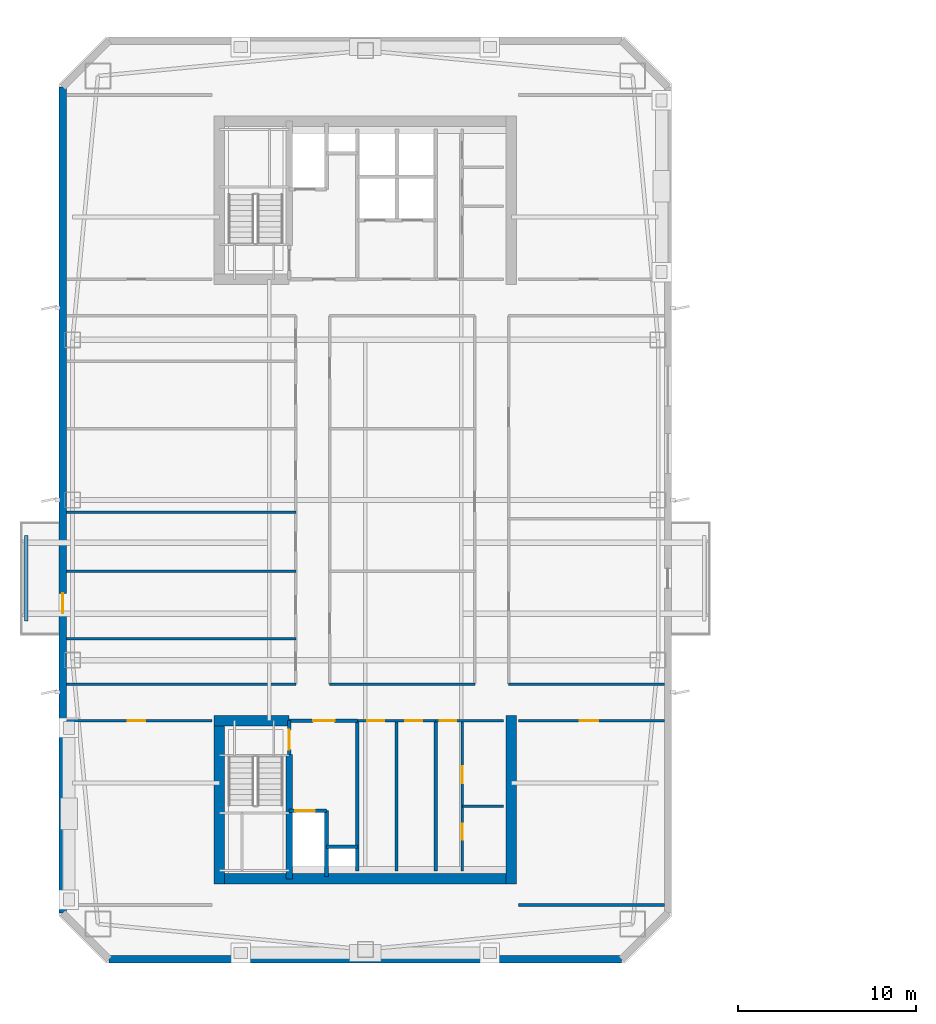
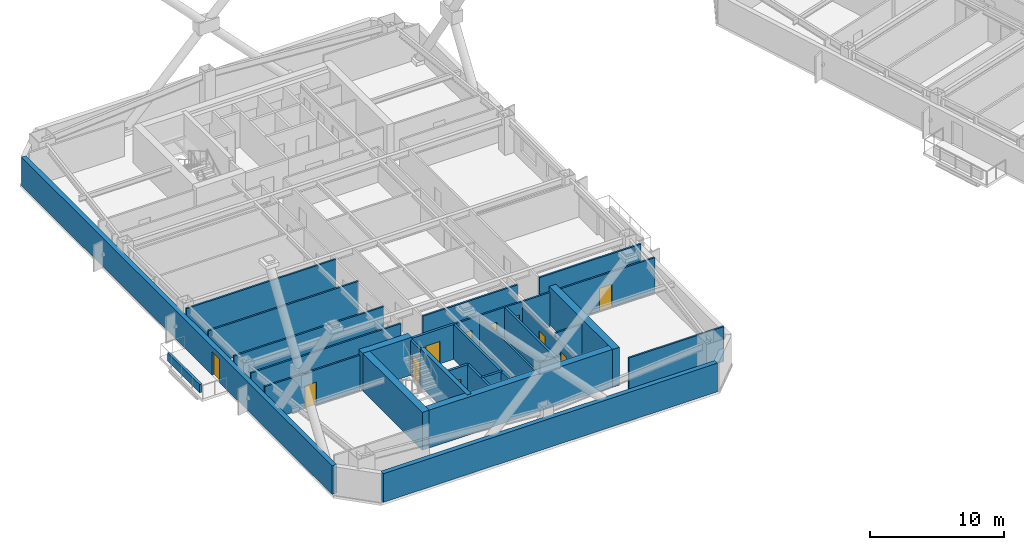
# One storey, part 6 of 18: 29 walls, 11 doors, 11 openings.
"""IFC4 building model written with IfcOpenShell, lengths in metres."""

import ifcopenshell
import ifcopenshell.guid

model = None  # the IFC model being written
_history = None  # IfcOwnerHistory: only IFC2X3 demands one
_inside = {}  # id of a spatial element -> (the spatial element, [elements in it])
_under = {}  # id of a project, library or spatial element -> (it, [spatial elements below it])
_declared = {}  # id of a project -> (the project, [libraries it declares])
_typed = {}  # id of a type object -> (the type object, [elements of that type])
_made_of = {}  # id of a material, layer set ... -> (it, [elements and type objects made of it])


def new_model(schema):
    """Start an empty IFC model of exactly this schema.

    Asked for "IFC4X3", IfcOpenShell would pick the latest addendum, in which some entities
    have other attributes; the version numbers below select the first issue.
    IFC2X3 requires an IfcOwnerHistory on every rooted entity: one is made here for all.
    """
    global model, _history
    if schema == "IFC4X3":
        model = ifcopenshell.file(schema_version=(4, 3, 0, 0))
    else:
        model = ifcopenshell.file(schema=schema)
    _inside.clear()
    _under.clear()
    _declared.clear()
    _typed.clear()
    _made_of.clear()
    _history = None
    if model.schema == "IFC2X3":
        org = make("IfcOrganization", Name="unknown")
        user = make(
            "IfcPersonAndOrganization",
            ThePerson=make("IfcPerson", FamilyName="unknown"),
            TheOrganization=org,
        )
        app = make(
            "IfcApplication",
            ApplicationDeveloper=org,
            Version="unknown",
            ApplicationFullName="unknown",
            ApplicationIdentifier="unknown",
        )
        _history = make(
            "IfcOwnerHistory",
            OwningUser=user,
            OwningApplication=app,
            ChangeAction="ADDED",
            CreationDate=0,
        )
    return model


def make(cls, **values):
    """One entity of the class cls with the attributes given. An attribute that is None is left unset."""
    return model.create_entity(
        cls, **{name: value for name, value in values.items() if value is not None}
    )


def rooted(cls, **values):
    """An entity with a GlobalId (a new one), such as an element, a storey or a relation."""
    return make(cls, GlobalId=ifcopenshell.guid.new(), OwnerHistory=_history, **values)


def si_unit(unit_type, name, prefix=None):
    """IfcSIUnit, for example si_unit("LENGTHUNIT", "METRE", prefix="MILLI")."""
    return make("IfcSIUnit", UnitType=unit_type, Prefix=prefix, Name=name)


def assignment(units):
    """IfcUnitAssignment: the units of a project."""
    return None if units is None else make("IfcUnitAssignment", Units=units)


def point(xyz):
    """IfcCartesianPoint."""
    return None if xyz is None else make("IfcCartesianPoint", Coordinates=xyz)


def direction(xyz):
    """IfcDirection."""
    return None if xyz is None else make("IfcDirection", DirectionRatios=xyz)


def frame(location, z_axis=None, x_axis=None):
    """IfcAxis2Placement3D, a coordinate frame: its origin and axes. An axis left out is left unset."""
    return make(
        "IfcAxis2Placement3D",
        Location=point(location),
        Axis=direction(z_axis),
        RefDirection=direction(x_axis),
    )


def frame_2d(location, x_axis=None):
    """IfcAxis2Placement2D, a coordinate frame in the plane: its origin and x axis."""
    return make(
        "IfcAxis2Placement2D", Location=point(location), RefDirection=direction(x_axis)
    )


def origin():
    """The frame at (0, 0, 0) with its axes left unset."""
    return frame((0.0, 0.0, 0.0))


def place(relative_to, where):
    """IfcLocalPlacement: puts the frame where relative to a parent placement (None: the world)."""
    return make(
        "IfcLocalPlacement", PlacementRelTo=relative_to, RelativePlacement=where
    )


def context(
    kind, dimensions, precision=None, world=None, true_north=None, identifier=None
):
    """IfcGeometricRepresentationContext, for example the 3D "Model" context."""
    return make(
        "IfcGeometricRepresentationContext",
        ContextIdentifier=identifier,
        ContextType=kind,
        CoordinateSpaceDimension=dimensions,
        Precision=precision,
        WorldCoordinateSystem=world,
        TrueNorth=true_north,
    )


def subcontext(parent, identifier, kind, view, scale=None):
    """IfcGeometricRepresentationSubContext, for example "Body" below "Model"."""
    return make(
        "IfcGeometricRepresentationSubContext",
        ContextIdentifier=identifier,
        ContextType=kind,
        ParentContext=parent,
        TargetScale=scale,
        TargetView=view,
    )


def project(units=None, contexts=None):
    """IfcProject with its units and contexts."""
    return rooted(
        "IfcProject",
        Name="project",
        RepresentationContexts=contexts,
        UnitsInContext=assignment(units),
    )


def spatial(cls, under=None, at=None, **own):
    """A site, building, storey or space (cls), placed at a placement, below another one or the project."""
    s = rooted(cls, ObjectPlacement=at, **own)
    if under is not None:
        _under.setdefault(under.id(), (under, []))[1].append(s)
    return s


def profile(cls, at=None, kind="AREA", **sizes):
    """A parametric profile (cls). Its sizes go by their IFC names, for example OverallWidth=200.0."""
    return make(cls, ProfileType=kind, Position=at, **sizes)


def rectangle(**sizes):
    """IfcRectangleProfileDef."""
    return profile("IfcRectangleProfileDef", **sizes)


def extrude(swept, where, along, depth):
    """IfcExtrudedAreaSolid: the profile swept, set in the frame where, extruded along a direction by depth."""
    return make(
        "IfcExtrudedAreaSolid",
        SweptArea=swept,
        Position=where,
        ExtrudedDirection=direction(along),
        Depth=depth,
    )


def shape(context_of_items, identifier, shape_type, items):
    """IfcShapeRepresentation: the items that make up one representation, for example the "Body"."""
    return make(
        "IfcShapeRepresentation",
        ContextOfItems=context_of_items,
        RepresentationIdentifier=identifier,
        RepresentationType=shape_type,
        Items=items,
    )


def material(Name=None, Category=None):
    """IfcMaterial."""
    return make("IfcMaterial", Name=Name, Category=Category)


def layer(
    of_material, thickness, ventilated=None, Name=None, Category=None, Priority=None
):
    """IfcMaterialLayer: one layer of a wall or slab, of a material (None: an air gap)."""
    return make(
        "IfcMaterialLayer",
        Material=of_material,
        LayerThickness=thickness,
        IsVentilated=ventilated,
        Name=Name,
        Category=Category,
        Priority=Priority,
    )


def layer_set(layers, Name=None):
    """IfcMaterialLayerSet."""
    return make("IfcMaterialLayerSet", MaterialLayers=layers, LayerSetName=Name)


def made_of(thing, what):
    """Note that an element or type object is made of a material, layer set ...; save() writes the relation."""
    if what is not None:
        _made_of.setdefault(what.id(), (what, []))[1].append(thing)
    return thing


def type_object(cls, material=None, **own):
    """A type object (cls), such as IfcWallType, which elements share."""
    return made_of(rooted(cls, **own), material)


def element(
    cls,
    number,
    at=None,
    inside=None,
    cuts=None,
    type_object=None,
    material=None,
    context=None,
    identifier="Body",
    shape_type=None,
    held_by="IfcProductDefinitionShape",
    body=None,
    shapes=None,
    **own,
):
    """One element of the class cls, such as IfcWall. Its Tag is "e" and its number.

    at: its placement. inside: the storey or other place that contains it. cuts: it is an
    opening in that element (IfcRelVoidsElement). A single representation is given by context,
    identifier, shape_type and body (its items); several are given by shapes. held_by: the class
    of the entity that holds the representations. save() writes the other relations.
    """
    e = rooted(cls, Tag="e%d" % number, ObjectPlacement=at, **own)
    if body is not None:
        shapes = [shape(context, identifier, shape_type, body)]
    if shapes is not None:
        e.Representation = make(held_by, Representations=shapes)
    if inside is not None:
        _inside.setdefault(inside.id(), (inside, []))[1].append(e)
    if cuts is not None:
        rooted(
            "IfcRelVoidsElement", RelatingBuildingElement=cuts, RelatedOpeningElement=e
        )
    if type_object is not None:
        _typed.setdefault(type_object.id(), (type_object, []))[1].append(e)
    return made_of(e, material)


def fill(opening, filler):
    """IfcRelFillsElement: the door or window that sits in an opening."""
    return rooted(
        "IfcRelFillsElement",
        RelatingOpeningElement=opening,
        RelatedBuildingElement=filler,
    )


def aggregate(whole, parts):
    """IfcRelAggregates: a whole, such as a stair, and the parts it consists of."""
    return rooted("IfcRelAggregates", RelatingObject=whole, RelatedObjects=parts)


def save(model, path):
    """Write the relations noted so far, then the file.

    IfcRelAggregates (storeys below a building ...), IfcRelContainedInSpatialStructure (elements
    in a storey), IfcRelDefinesByType, IfcRelAssociatesMaterial and IfcRelDeclares: one each for
    every whole, place, type object, material and project.
    """
    for whole, parts in _under.values():
        aggregate(whole, parts)
    for where, things in _inside.values():
        rooted(
            "IfcRelContainedInSpatialStructure",
            RelatedElements=things,
            RelatingStructure=where,
        )
    for kind, things in _typed.values():
        rooted("IfcRelDefinesByType", RelatedObjects=things, RelatingType=kind)
    for what, things in _made_of.values():
        rooted("IfcRelAssociatesMaterial", RelatedObjects=things, RelatingMaterial=what)
    for by, libraries in _declared.values():
        rooted("IfcRelDeclares", RelatingContext=by, RelatedDefinitions=libraries)
    model.write(path)


model = new_model("IFC4")

# Units and contexts
model_context = context("Model", 3, precision=1e-05, world=origin(), true_north=direction((0.0, 1.0)))
body_context = subcontext(model_context, "Body", "Model", "MODEL_VIEW")
ifc_project = project(units=[si_unit("LENGTHUNIT", "METRE"), si_unit("AREAUNIT", "SQUARE_METRE"), si_unit("VOLUMEUNIT", "CUBIC_METRE"), si_unit("PLANEANGLEUNIT", "RADIAN"), si_unit("MASSUNIT", "GRAM", prefix="KILO")], contexts=[model_context])

# Site, building, storey
site_placement = place(None, origin())
site = spatial("IfcSite", under=ifc_project, at=site_placement, CompositionType="ELEMENT")
building_placement = place(site_placement, origin())
building = spatial("IfcBuilding", under=site, at=building_placement, Name="Qiaolan Cultural Towers", CompositionType="ELEMENT")
storey_placement = place(building_placement, frame((0.0, 0.0, 173.64990234375)))
storey = spatial("IfcBuildingStorey", under=building, at=storey_placement, Name="L46", CompositionType="ELEMENT", Elevation=173.64990234375)

# Walls
ifc_material_1 = material(Name="Concrete C50", Category="concrete")
ifc_layer_1 = layer(ifc_material_1, 0.35009765625)
ifc_layer_set_1 = layer_set([ifc_layer_1], Name="Concrete C50")
wall_type_1 = type_object("IfcWallType", Name="WL-CORE-350", PredefinedType="SHEAR", material=ifc_layer_set_1)
wall_1_placement = place(storey_placement, frame((25.719970703125, 19.699951171875, 0.0), z_axis=(0.0, 0.0, 1.0), x_axis=(0.0, -1.0, 0.0)))
element("IfcWall", 1, at=wall_1_placement, inside=storey, type_object=wall_type_1, Name="L46 T1-CS Stair Core Dividing Web", PredefinedType="SHEAR", context=body_context, shape_type="SweptSolid", body=[
    extrude(rectangle(XDim=6.97998046875, YDim=0.35009765625, at=frame_2d((3.489990234375, 0.0))), origin(), (0.0, 0.0, 1.0), 3.4501953125),
])
ifc_material_2 = material(Name="Concrete C55", Category="concrete")
ifc_layer_2 = layer(ifc_material_2, 0.60009765625)
ifc_layer_set_2 = layer_set([ifc_layer_2], Name="Concrete C55")
wall_type_2 = type_object("IfcWallType", Name="WL-CORE-600", PredefinedType="SHEAR", material=ifc_layer_set_2)
wall_2_placement = place(storey_placement, frame((21.5, 12.719970703125, 0.0), z_axis=(0.0, 0.0, 1.0), x_axis=(1.0, 0.0, 0.0)))
element("IfcWall", 2, at=wall_2_placement, inside=storey, type_object=wall_type_2, Name="L46 T1-CS Outer Core Shear Wall", PredefinedType="SHEAR", context=body_context, shape_type="SweptSolid", body=[
    extrude(rectangle(XDim=17.0, YDim=0.60009765625, at=frame_2d((8.5, 0.0))), origin(), (0.0, 0.0, 1.0), 3.4501953125),
])
for number, where, z_axis, x_axis, name in (
    (3, (21.800048828125, 21.89990234375, 0.0), (0.0, 0.0, 1.0), (0.0, -1.0, 0.0), "L46 T1-CS West Core Shear Wall"),
    (4, (38.199951171875, 21.89990234375, 0.0), (0.0, 0.0, 1.0), (0.0, -1.0, 0.0), "L46 T1-CS East Core Shear Wall"),
):
    element("IfcWall", number, at=place(storey_placement, frame(where, z_axis=z_axis, x_axis=x_axis)), inside=storey, type_object=wall_type_2, Name=name, PredefinedType="SHEAR", context=body_context, shape_type="SweptSolid", body=[
        extrude(rectangle(XDim=9.47998046875, YDim=0.60009765625, at=frame_2d((4.739990234375, 0.0))), origin(), (0.0, 0.0, 1.0), 3.4501953125),
    ])
wall_3_placement = place(storey_placement, frame((21.5, 21.60009765625, 0.0), z_axis=(0.0, 0.0, 1.0), x_axis=(1.0, 0.0, 0.0)))
element("IfcWall", 5, at=wall_3_placement, inside=storey, type_object=wall_type_2, Name="L46 T1-CS Stair Front Shear Wall", PredefinedType="SHEAR", context=body_context, shape_type="SweptSolid", body=[
    extrude(rectangle(XDim=4.219970703125, YDim=0.60009765625, at=frame_2d((2.10986328125, 0.0))), origin(), (0.0, 0.0, 1.0), 3.4501953125),
])

# Wall, opening, door
ifc_material_3 = material(Name="Precast Concrete C50 Honed Stone Pier", Category="masonry")
ifc_layer_3 = layer(ifc_material_3, 0.39990234375)
ifc_layer_set_3 = layer_set([ifc_layer_3], Name="Precast Concrete C50 Honed Stone Pier")
wall_type_3 = type_object("IfcWallType", Name="WL-EXT-PIER-400", PredefinedType="SOLIDWALL", material=ifc_layer_set_3)
wall_4_placement = place(storey_placement, frame((13.0, 10.800048828125, 0.0), z_axis=(0.0, 0.0, 1.0), x_axis=(0.0, 1.0, 0.0)))
wall_4 = element("IfcWall", 6, at=wall_4_placement, inside=storey, type_object=wall_type_3, Name="L46 West Tower Precast Pier Facade Wall F1", PredefinedType="SOLIDWALL", context=body_context, shape_type="SweptSolid", body=[
    extrude(rectangle(XDim=46.39990234375, YDim=0.39990234375, at=frame_2d((23.199951171875, 0.0))), origin(), (0.0, 0.0, 1.0), 2.610107421875),
])
opening_1_placement = place(wall_4_placement, frame((16.85009765625, 0.0, 0.0)))
opening_1 = element("IfcOpeningElement", 7, at=opening_1_placement, cuts=wall_4, Name="Opening BD-01", PredefinedType="OPENING", context=body_context, shape_type="SweptSolid", body=[
    extrude(rectangle(XDim=1.10009765625, YDim=2.14990234375, at=frame_2d((0.550048828125, 1.074951171875))), frame((0.0, 0.2099609375, 0.0), z_axis=(0.0, -1.0, 0.0), x_axis=(1.0, 0.0, 0.0)), (0.0, 0.0, 1.0), 0.419921875),
])
ifc_material_4 = material(Name="Thermally Broken Aluminium Glazed Terrace Door", Category="aluminium")
door_type_1 = type_object("IfcDoorType", Name="DR-BAL-1100", OperationType="NOTDEFINED", PredefinedType="DOOR", material=ifc_material_4)
door_1_placement = place(opening_1_placement, origin())
door_1 = element("IfcDoor", 8, at=door_1_placement, inside=storey, type_object=door_type_1, Name="L46 T1 West Tree Balcony Door", OperationType="SINGLE_SWING_LEFT", OverallHeight=2.14990234375, OverallWidth=1.10009765625, PredefinedType="DOOR", context=body_context, shape_type="SweptSolid", body=[
    extrude(rectangle(XDim=1.10009765625, YDim=2.14990234375, at=frame_2d((0.550048828125, 1.074951171875))), frame((0.0, 0.02490234375, 0.0), z_axis=(0.0, -1.0, 0.0), x_axis=(1.0, 0.0, 0.0)), (0.0, 0.0, 1.0), 0.050048828125),
])
fill(opening_1, door_1)

# Wall
wall_5_placement = place(storey_placement, frame((44.39990234375, 8.199951171875, 0.0), z_axis=(0.0, 0.0, 1.0), x_axis=(-1.0, 0.0, 0.0)))
element("IfcWall", 9, at=wall_5_placement, inside=storey, type_object=wall_type_3, Name="L46 West Tower Precast Pier Facade Wall F7", PredefinedType="SOLIDWALL", context=body_context, shape_type="SweptSolid", body=[
    extrude(rectangle(XDim=28.7998046875, YDim=0.39990234375, at=frame_2d((14.39990234375, 0.0))), origin(), (0.0, 0.0, 1.0), 2.610107421875),
])

# Wall, opening, door
ifc_material_5 = material(Name="Concrete C35 Fire Wall", Category="concrete")
ifc_layer_4 = layer(ifc_material_5, 0.199951171875)
ifc_layer_set_4 = layer_set([ifc_layer_4], Name="Concrete C35 Fire Wall")
wall_type_4 = type_object("IfcWallType", Name="WL-FIRE-200", PredefinedType="PARTITIONING", material=ifc_layer_set_4)
wall_6_placement = place(storey_placement, frame((25.719970703125, 21.60009765625, 0.0), z_axis=(0.0, 0.0, 1.0), x_axis=(0.0, -1.0, 0.0)))
wall_6 = element("IfcWall", 10, at=wall_6_placement, inside=storey, type_object=wall_type_4, Name="L46 T1-CS Smokeproof Stair Entry Wall", PredefinedType="PARTITIONING", context=body_context, shape_type="SweptSolid", body=[
    extrude(rectangle(XDim=1.900146484375, YDim=0.199951171875, at=frame_2d((0.9501953125, 0.0))), origin(), (0.0, 0.0, 1.0), 3.175048828125),
])
opening_2_placement = place(wall_6_placement, frame((0.52001953125, 0.0, 0.0)))
opening_2 = element("IfcOpeningElement", 11, at=opening_2_placement, cuts=wall_6, Name="Opening FD-04", PredefinedType="OPENING", context=body_context, shape_type="SweptSolid", body=[
    extrude(rectangle(XDim=1.10009765625, YDim=2.050048828125, at=frame_2d((0.550048828125, 1.02490234375))), frame((0.0, 0.10986328125, 0.0), z_axis=(0.0, -1.0, 0.0), x_axis=(1.0, 0.0, 0.0)), (0.0, 0.0, 1.0), 0.219970703125),
])
ifc_material_6 = material(Name="Galvanized Steel Command Fire Door", Category="steel")
door_type_2 = type_object("IfcDoorType", Name="DR-FD90-1100", OperationType="NOTDEFINED", PredefinedType="DOOR", material=ifc_material_6)
door_2_placement = place(opening_2_placement, origin())
door_2 = element("IfcDoor", 12, at=door_2_placement, inside=storey, type_object=door_type_2, Name="L46 ST-W1 Smokeproof Stair Fire Door", OperationType="SINGLE_SWING_LEFT", OverallHeight=2.050048828125, OverallWidth=1.10009765625, PredefinedType="DOOR", context=body_context, shape_type="SweptSolid", body=[
    extrude(rectangle(XDim=1.10009765625, YDim=2.050048828125, at=frame_2d((0.550048828125, 1.02490234375))), frame((0.0, 0.02490234375, 0.0), z_axis=(0.0, -1.0, 0.0), x_axis=(1.0, 0.0, 0.0)), (0.0, 0.0, 1.0), 0.050048828125),
])
fill(opening_2, door_2)

# Wall
wall_7_placement = place(storey_placement, frame((29.550048828125, 21.60009765625, 0.0), z_axis=(0.0, 0.0, 1.0), x_axis=(0.0, -1.0, 0.0)))
element("IfcWall", 13, at=wall_7_placement, inside=storey, type_object=wall_type_4, Name="L46 T1-CS Firefighting Zone Wall", PredefinedType="PARTITIONING", context=body_context, shape_type="SweptSolid", body=[
    extrude(rectangle(XDim=8.43017578125, YDim=0.199951171875, at=frame_2d((4.215087890625, 0.0))), origin(), (0.0, 0.0, 1.0), 3.175048828125),
])

# Wall, opening, door
wall_8_placement = place(storey_placement, frame((25.719970703125, 21.60009765625, 0.0), z_axis=(0.0, 0.0, 1.0), x_axis=(1.0, 0.0, 0.0)))
wall_8 = element("IfcWall", 14, at=wall_8_placement, inside=storey, type_object=wall_type_4, Name="L46 T1-CS Firefighting Lobby Front Wall", PredefinedType="PARTITIONING", context=body_context, shape_type="SweptSolid", body=[
    extrude(rectangle(XDim=3.830078125, YDim=0.199951171875, at=frame_2d((1.9150390625, 0.0))), origin(), (0.0, 0.0, 1.0), 3.175048828125),
])
opening_3_placement = place(wall_8_placement, frame((1.35009765625, 0.0, 0.0)))
opening_3 = element("IfcOpeningElement", 15, at=opening_3_placement, cuts=wall_8, Name="Opening FD-03", PredefinedType="OPENING", context=body_context, shape_type="SweptSolid", body=[
    extrude(rectangle(XDim=1.199951171875, YDim=2.050048828125, at=frame_2d((0.60009765625, 1.02490234375))), frame((0.0, 0.10986328125, 0.0), z_axis=(0.0, -1.0, 0.0), x_axis=(1.0, 0.0, 0.0)), (0.0, 0.0, 1.0), 0.219970703125),
])
ifc_material_7 = material(Name="Galvanized Steel Smokeproof Lobby Fire Door", Category="steel")
door_type_3 = type_object("IfcDoorType", Name="DR-FD90-1200", OperationType="NOTDEFINED", PredefinedType="DOOR", material=ifc_material_7)
door_3_placement = place(opening_3_placement, origin())
door_3 = element("IfcDoor", 16, at=door_3_placement, inside=storey, type_object=door_type_3, Name="L46 FFL-W1 Firefighting Lobby Fire Door", OperationType="SINGLE_SWING_LEFT", OverallHeight=2.050048828125, OverallWidth=1.199951171875, PredefinedType="DOOR", context=body_context, shape_type="SweptSolid", body=[
    extrude(rectangle(XDim=1.199951171875, YDim=2.050048828125, at=frame_2d((0.60009765625, 1.02490234375))), frame((0.0, 0.02490234375, 0.0), z_axis=(0.0, -1.0, 0.0), x_axis=(1.0, 0.0, 0.0)), (0.0, 0.0, 1.0), 0.050048828125),
])
fill(opening_3, door_3)

wall_9_placement = place(storey_placement, frame((25.719970703125, 16.550048828125, 0.0), z_axis=(0.0, 0.0, 1.0), x_axis=(1.0, 0.0, 0.0)))
wall_9 = element("IfcWall", 17, at=wall_9_placement, inside=storey, type_object=wall_type_4, Name="L46 T1-CS Firefighting Shaft Front Wall", PredefinedType="PARTITIONING", context=body_context, shape_type="SweptSolid", body=[
    extrude(rectangle(XDim=2.10009765625, YDim=0.199951171875, at=frame_2d((1.050048828125, 0.0))), origin(), (0.0, 0.0, 1.0), 3.175048828125),
])
opening_4_placement = place(wall_9_placement, frame((0.35009765625, 0.0, 0.0)))
opening_4 = element("IfcOpeningElement", 18, at=opening_4_placement, cuts=wall_9, Name="Opening LD-01", PredefinedType="OPENING", context=body_context, shape_type="SweptSolid", body=[
    extrude(rectangle(XDim=1.10009765625, YDim=2.050048828125, at=frame_2d((0.550048828125, 1.02490234375))), frame((0.0, 0.10986328125, 0.0), z_axis=(0.0, -1.0, 0.0), x_axis=(1.0, 0.0, 0.0)), (0.0, 0.0, 1.0), 0.219970703125),
])
ifc_material_8 = material(Name="Brushed Stainless Steel S30408 Centre-Parting Lift Landing Door", Category="steel")
door_type_4 = type_object("IfcDoorType", Name="DR-LIFT-1100", OperationType="NOTDEFINED", PredefinedType="DOOR", material=ifc_material_8)
door_4_placement = place(opening_4_placement, origin())
door_4 = element("IfcDoor", 19, at=door_4_placement, inside=storey, type_object=door_type_4, Name="L46 FFL-W1 Firefighting Lift Landing Door", OperationType="DOUBLE_DOOR_SLIDING", OverallHeight=2.050048828125, OverallWidth=1.10009765625, PredefinedType="DOOR", context=body_context, shape_type="SweptSolid", body=[
    extrude(rectangle(XDim=1.10009765625, YDim=2.050048828125, at=frame_2d((0.550048828125, 1.02490234375))), frame((0.0, 0.02490234375, 0.0), z_axis=(0.0, -1.0, 0.0), x_axis=(1.0, 0.0, 0.0)), (0.0, 0.0, 1.0), 0.050048828125),
])
fill(opening_4, door_4)

# Walls
wall_10_placement = place(storey_placement, frame((27.820068359375, 16.550048828125, 0.0), z_axis=(0.0, 0.0, 1.0), x_axis=(0.0, -1.0, 0.0)))
element("IfcWall", 20, at=wall_10_placement, inside=storey, type_object=wall_type_4, Name="L46 T1-CS Firefighting Hoistway East Wall", PredefinedType="PARTITIONING", context=body_context, shape_type="SweptSolid", body=[
    extrude(rectangle(XDim=3.699951171875, YDim=0.199951171875, at=frame_2d((1.85009765625, 0.0))), origin(), (0.0, 0.0, 1.0), 3.175048828125),
])
wall_11_placement = place(storey_placement, frame((27.820068359375, 14.52001953125, 0.0), z_axis=(0.0, 0.0, 1.0), x_axis=(1.0, 0.0, 0.0)))
element("IfcWall", 21, at=wall_11_placement, inside=storey, type_object=wall_type_4, Name="L46 T1-CS Pressurization Shaft Front Wall", PredefinedType="PARTITIONING", context=body_context, shape_type="SweptSolid", body=[
    extrude(rectangle(XDim=1.72998046875, YDim=0.199951171875, at=frame_2d((0.864990234375, 0.0))), origin(), (0.0, 0.0, 1.0), 3.175048828125),
])
wall_12_placement = place(storey_placement, frame((33.949951171875, 21.60009765625, 0.0), z_axis=(0.0, 0.0, 1.0), x_axis=(0.0, -1.0, 0.0)))
element("IfcWall", 22, at=wall_12_placement, inside=storey, type_object=wall_type_4, Name="L46 T1-CS Lift Core East Wall", PredefinedType="PARTITIONING", context=body_context, shape_type="SweptSolid", body=[
    extrude(rectangle(XDim=8.43017578125, YDim=0.199951171875, at=frame_2d((4.215087890625, 0.0))), origin(), (0.0, 0.0, 1.0), 3.175048828125),
])

# Wall, openings, doors
ifc_material_9 = material(Name="Autoclaved Aerated Concrete Block B06", Category="concrete")
ifc_layer_5 = layer(ifc_material_9, 0.14990234375)
ifc_layer_set_5 = layer_set([ifc_layer_5], Name="Autoclaved Aerated Concrete Block B06")
wall_type_5 = type_object("IfcWallType", Name="WL-PART-150", PredefinedType="PARTITIONING", material=ifc_layer_set_5)
wall_13_placement = place(storey_placement, frame((29.550048828125, 21.60009765625, 0.0), z_axis=(0.0, 0.0, 1.0), x_axis=(1.0, 0.0, 0.0)))
wall_13 = element("IfcWall", 23, at=wall_13_placement, inside=storey, type_object=wall_type_5, Name="L46 T1-CS Reclaimed Core Room Front Wall", PredefinedType="PARTITIONING", context=body_context, shape_type="SweptSolid", body=[
    extrude(rectangle(XDim=4.39990234375, YDim=0.14990234375, at=frame_2d((2.199951171875, 0.0))), origin(), (0.0, 0.0, 1.0), 3.175048828125),
])
opening_5_placement = place(wall_13_placement, frame((0.550048828125, 0.0, 0.0)))
opening_5 = element("IfcOpeningElement", 24, at=opening_5_placement, cuts=wall_13, Name="Opening ID-05", PredefinedType="OPENING", context=body_context, shape_type="SweptSolid", body=[
    extrude(rectangle(XDim=0.949951171875, YDim=2.050048828125, at=frame_2d((0.47509765625, 1.02490234375))), frame((0.0, 0.0849609375, 0.0), z_axis=(0.0, -1.0, 0.0), x_axis=(1.0, 0.0, 0.0)), (0.0, 0.0, 1.0), 0.169921875),
])
opening_6_placement = place(wall_13_placement, frame((2.699951171875, 0.0, 0.0)))
opening_6 = element("IfcOpeningElement", 25, at=opening_6_placement, cuts=wall_13, Name="Opening ID-05", PredefinedType="OPENING", context=body_context, shape_type="SweptSolid", body=[
    extrude(rectangle(XDim=0.949951171875, YDim=2.050048828125, at=frame_2d((0.47509765625, 1.02490234375))), frame((0.0, 0.0849609375, 0.0), z_axis=(0.0, -1.0, 0.0), x_axis=(1.0, 0.0, 0.0)), (0.0, 0.0, 1.0), 0.169921875),
])
ifc_material_10 = material(Name="Fire-Rated Laminate Accessible Core Door", Category="timber")
door_type_5 = type_object("IfcDoorType", Name="DR-INT-950", OperationType="NOTDEFINED", PredefinedType="DOOR", material=ifc_material_10)
door_5_placement = place(opening_5_placement, origin())
door_5 = element("IfcDoor", 26, at=door_5_placement, inside=storey, type_object=door_type_5, Name="L46 Copy Print Room Door", OperationType="SINGLE_SWING_LEFT", OverallHeight=2.050048828125, OverallWidth=0.949951171875, PredefinedType="DOOR", context=body_context, shape_type="SweptSolid", body=[
    extrude(rectangle(XDim=0.949951171875, YDim=2.050048828125, at=frame_2d((0.47509765625, 1.02490234375))), frame((0.0, 0.02490234375, 0.0), z_axis=(0.0, -1.0, 0.0), x_axis=(1.0, 0.0, 0.0)), (0.0, 0.0, 1.0), 0.050048828125),
])
fill(opening_5, door_5)
door_6_placement = place(opening_6_placement, origin())
door_6 = element("IfcDoor", 27, at=door_6_placement, inside=storey, type_object=door_type_5, Name="L46 Tea Pantry Room Door", OperationType="SINGLE_SWING_RIGHT", OverallHeight=2.050048828125, OverallWidth=0.949951171875, PredefinedType="DOOR", context=body_context, shape_type="SweptSolid", body=[
    extrude(rectangle(XDim=0.949951171875, YDim=2.050048828125, at=frame_2d((0.47509765625, 1.02490234375))), frame((0.0, 0.02490234375, 0.0), z_axis=(0.0, -1.0, 0.0), x_axis=(1.0, 0.0, 0.0)), (0.0, 0.0, 1.0), 0.050048828125),
])
fill(opening_6, door_6)

# Wall
wall_14_placement = place(storey_placement, frame((31.75, 21.60009765625, 0.0), z_axis=(0.0, 0.0, 1.0), x_axis=(0.0, -1.0, 0.0)))
element("IfcWall", 28, at=wall_14_placement, inside=storey, type_object=wall_type_5, Name="L46 T1-CS Reclaimed Twin Room Wall", PredefinedType="PARTITIONING", context=body_context, shape_type="SweptSolid", body=[
    extrude(rectangle(XDim=8.43017578125, YDim=0.14990234375, at=frame_2d((4.215087890625, 0.0))), origin(), (0.0, 0.0, 1.0), 3.175048828125),
])

# Wall, opening, door
wall_15_placement = place(storey_placement, frame((33.949951171875, 21.60009765625, 0.0), z_axis=(0.0, 0.0, 1.0), x_axis=(1.0, 0.0, 0.0)))
wall_15 = element("IfcWall", 29, at=wall_15_placement, inside=storey, type_object=wall_type_5, Name="L46 T1-CS Sanitary Core Front Wall", PredefinedType="PARTITIONING", context=body_context, shape_type="SweptSolid", body=[
    extrude(rectangle(XDim=3.800048828125, YDim=0.14990234375, at=frame_2d((1.89990234375, 0.0))), origin(), (0.0, 0.0, 1.0), 3.175048828125),
])
opening_7_placement = place(wall_15_placement, frame((0.219970703125, 0.0, 0.0)))
opening_7 = element("IfcOpeningElement", 30, at=opening_7_placement, cuts=wall_15, Name="Opening ID-05", PredefinedType="OPENING", context=body_context, shape_type="SweptSolid", body=[
    extrude(rectangle(XDim=0.949951171875, YDim=2.050048828125, at=frame_2d((0.47509765625, 1.02490234375))), frame((0.0, 0.0849609375, 0.0), z_axis=(0.0, -1.0, 0.0), x_axis=(1.0, 0.0, 0.0)), (0.0, 0.0, 1.0), 0.169921875),
])
door_7_placement = place(opening_7_placement, origin())
door_7 = element("IfcDoor", 31, at=door_7_placement, inside=storey, type_object=door_type_5, Name="L46 Sanitary Lobby Door", OperationType="SINGLE_SWING_LEFT", OverallHeight=2.050048828125, OverallWidth=0.949951171875, PredefinedType="DOOR", context=body_context, shape_type="SweptSolid", body=[
    extrude(rectangle(XDim=0.949951171875, YDim=2.050048828125, at=frame_2d((0.47509765625, 1.02490234375))), frame((0.0, 0.02490234375, 0.0), z_axis=(0.0, -1.0, 0.0), x_axis=(1.0, 0.0, 0.0)), (0.0, 0.0, 1.0), 0.050048828125),
])
fill(opening_7, door_7)

# Wall, openings, doors
wall_16_placement = place(storey_placement, frame((35.449951171875, 21.60009765625, 0.0), z_axis=(0.0, 0.0, 1.0), x_axis=(0.0, -1.0, 0.0)))
wall_16 = element("IfcWall", 32, at=wall_16_placement, inside=storey, type_object=wall_type_5, Name="L46 T1-CS Washroom Split Wall", PredefinedType="PARTITIONING", context=body_context, shape_type="SweptSolid", body=[
    extrude(rectangle(XDim=8.43017578125, YDim=0.14990234375, at=frame_2d((4.215087890625, 0.0))), origin(), (0.0, 0.0, 1.0), 2.76513671875),
])
opening_8_placement = place(wall_16_placement, frame((2.550048828125, 0.0, 0.0)))
opening_8 = element("IfcOpeningElement", 33, at=opening_8_placement, cuts=wall_16, Name="Opening ID-05", PredefinedType="OPENING", context=body_context, shape_type="SweptSolid", body=[
    extrude(rectangle(XDim=0.949951171875, YDim=2.050048828125, at=frame_2d((0.47509765625, 1.02490234375))), frame((0.0, 0.0849609375, 0.0), z_axis=(0.0, -1.0, 0.0), x_axis=(1.0, 0.0, 0.0)), (0.0, 0.0, 1.0), 0.169921875),
])
opening_9_placement = place(wall_16_placement, frame((5.800048828125, 0.0, 0.0)))
opening_9 = element("IfcOpeningElement", 34, at=opening_9_placement, cuts=wall_16, Name="Opening ID-06", PredefinedType="OPENING", context=body_context, shape_type="SweptSolid", body=[
    extrude(rectangle(XDim=0.89990234375, YDim=2.050048828125, at=frame_2d((0.449951171875, 1.02490234375))), frame((0.0, 0.0849609375, 0.0), z_axis=(0.0, -1.0, 0.0), x_axis=(1.0, 0.0, 0.0)), (0.0, 0.0, 1.0), 0.169921875),
])
ifc_material_11 = material(Name="Fire-Rated Laminate Core Service Door", Category="timber")
door_type_6 = type_object("IfcDoorType", Name="DR-INT-900", OperationType="NOTDEFINED", PredefinedType="DOOR", material=ifc_material_11)
door_8_placement = place(opening_9_placement, origin())
door_8 = element("IfcDoor", 35, at=door_8_placement, inside=storey, type_object=door_type_6, Name="L46 First-Aid Room Door", OperationType="SINGLE_SWING_RIGHT", OverallHeight=2.050048828125, OverallWidth=0.89990234375, PredefinedType="DOOR", context=body_context, shape_type="SweptSolid", body=[
    extrude(rectangle(XDim=0.89990234375, YDim=2.050048828125, at=frame_2d((0.449951171875, 1.02490234375))), frame((0.0, 0.02490234375, 0.0), z_axis=(0.0, -1.0, 0.0), x_axis=(1.0, 0.0, 0.0)), (0.0, 0.0, 1.0), 0.050048828125),
])
fill(opening_9, door_8)
door_9_placement = place(opening_8_placement, origin())
door_9 = element("IfcDoor", 36, at=door_9_placement, inside=storey, type_object=door_type_5, Name="L46 Accessible Washroom Door", OperationType="SINGLE_SWING_LEFT", OverallHeight=2.050048828125, OverallWidth=0.949951171875, PredefinedType="DOOR", context=body_context, shape_type="SweptSolid", body=[
    extrude(rectangle(XDim=0.949951171875, YDim=2.050048828125, at=frame_2d((0.47509765625, 1.02490234375))), frame((0.0, 0.02490234375, 0.0), z_axis=(0.0, -1.0, 0.0), x_axis=(1.0, 0.0, 0.0)), (0.0, 0.0, 1.0), 0.050048828125),
])
fill(opening_8, door_9)

# Wall
wall_17_placement = place(storey_placement, frame((35.449951171875, 16.800048828125, 0.0), z_axis=(0.0, 0.0, 1.0), x_axis=(1.0, 0.0, 0.0)))
element("IfcWall", 37, at=wall_17_placement, inside=storey, type_object=wall_type_5, Name="L46 T1-CS First-Aid Wall", PredefinedType="PARTITIONING", context=body_context, shape_type="SweptSolid", body=[
    extrude(rectangle(XDim=2.300048828125, YDim=0.14990234375, at=frame_2d((1.14990234375, 0.0))), origin(), (0.0, 0.0, 1.0), 3.175048828125),
])

# Wall, opening, door
wall_18_placement = place(storey_placement, frame((13.199951171875, 21.60009765625, 0.0), z_axis=(0.0, 0.0, 1.0), x_axis=(1.0, 0.0, 0.0)))
wall_18 = element("IfcWall", 38, at=wall_18_placement, inside=storey, type_object=wall_type_5, Name="L46 T1 Flank Front FLK-SW", PredefinedType="PARTITIONING", context=body_context, shape_type="SweptSolid", body=[
    extrude(rectangle(XDim=8.199951171875, YDim=0.14990234375, at=frame_2d((4.10009765625, 0.0))), origin(), (0.0, 0.0, 1.0), 3.175048828125),
])
opening_10_placement = place(wall_18_placement, frame((3.444091796875, 0.0, 0.0)))
opening_10 = element("IfcOpeningElement", 39, at=opening_10_placement, cuts=wall_18, Name="Opening ID-04", PredefinedType="OPENING", context=body_context, shape_type="SweptSolid", body=[
    extrude(rectangle(XDim=1.0, YDim=2.050048828125, at=frame_2d((0.5, 1.02490234375))), frame((0.0, 0.0849609375, 0.0), z_axis=(0.0, -1.0, 0.0), x_axis=(1.0, 0.0, 0.0)), (0.0, 0.0, 1.0), 0.169921875),
])
ifc_material_12 = material(Name="Oak Veneer Acoustic Office Door", Category="timber")
door_type_7 = type_object("IfcDoorType", Name="DR-INT-1000", OperationType="NOTDEFINED", PredefinedType="DOOR", material=ifc_material_12)
door_10_placement = place(opening_10_placement, origin())
door_10 = element("IfcDoor", 40, at=door_10_placement, inside=storey, type_object=door_type_7, Name="L46 T1 Corner Studio Door", OperationType="SINGLE_SWING_LEFT", OverallHeight=2.050048828125, OverallWidth=1.0, PredefinedType="DOOR", context=body_context, shape_type="SweptSolid", body=[
    extrude(rectangle(XDim=1.0, YDim=2.050048828125, at=frame_2d((0.5, 1.02490234375))), frame((0.0, 0.02490234375, 0.0), z_axis=(0.0, -1.0, 0.0), x_axis=(1.0, 0.0, 0.0)), (0.0, 0.0, 1.0), 0.050048828125),
])
fill(opening_10, door_10)

# Wall
wall_19_placement = place(storey_placement, frame((38.60009765625, 11.25, 0.0), z_axis=(0.0, 0.0, 1.0), x_axis=(1.0, 0.0, 0.0)))
element("IfcWall", 41, at=wall_19_placement, inside=storey, type_object=wall_type_5, Name="L46 T1 Flank Wall FLK-SE", PredefinedType="PARTITIONING", context=body_context, shape_type="SweptSolid", body=[
    extrude(rectangle(XDim=8.199951171875, YDim=0.14990234375, at=frame_2d((4.10009765625, 0.0))), origin(), (0.0, 0.0, 1.0), 3.175048828125),
])

# Wall, opening, door
wall_20_placement = place(storey_placement, frame((38.60009765625, 21.60009765625, 0.0), z_axis=(0.0, 0.0, 1.0), x_axis=(1.0, 0.0, 0.0)))
wall_20 = element("IfcWall", 42, at=wall_20_placement, inside=storey, type_object=wall_type_5, Name="L46 T1 Flank Front FLK-SE", PredefinedType="PARTITIONING", context=body_context, shape_type="SweptSolid", body=[
    extrude(rectangle(XDim=8.199951171875, YDim=0.14990234375, at=frame_2d((4.10009765625, 0.0))), origin(), (0.0, 0.0, 1.0), 3.175048828125),
])
opening_11_placement = place(wall_20_placement, frame((3.444091796875, 0.0, 0.0)))
opening_11 = element("IfcOpeningElement", 43, at=opening_11_placement, cuts=wall_20, Name="Opening ID-07", PredefinedType="OPENING", context=body_context, shape_type="SweptSolid", body=[
    extrude(rectangle(XDim=1.050048828125, YDim=2.050048828125, at=frame_2d((0.52490234375, 1.02490234375))), frame((0.0, 0.0849609375, 0.0), z_axis=(0.0, -1.0, 0.0), x_axis=(1.0, 0.0, 0.0)), (0.0, 0.0, 1.0), 0.169921875),
])
ifc_material_13 = material(Name="Oak Veneer Consultation Door", Category="timber")
door_type_8 = type_object("IfcDoorType", Name="DR-INT-1050", OperationType="NOTDEFINED", PredefinedType="DOOR", material=ifc_material_13)
door_11_placement = place(opening_11_placement, origin())
door_11 = element("IfcDoor", 44, at=door_11_placement, inside=storey, type_object=door_type_8, Name="L46 T1 Corner Studio Door", OperationType="SINGLE_SWING_LEFT", OverallHeight=2.050048828125, OverallWidth=1.050048828125, PredefinedType="DOOR", context=body_context, shape_type="SweptSolid", body=[
    extrude(rectangle(XDim=1.050048828125, YDim=2.050048828125, at=frame_2d((0.52490234375, 1.02490234375))), frame((0.0, 0.02490234375, 0.0), z_axis=(0.0, -1.0, 0.0), x_axis=(1.0, 0.0, 0.0)), (0.0, 0.0, 1.0), 0.050048828125),
])
fill(opening_11, door_11)

# Walls
wall_21_placement = place(storey_placement, frame((13.199951171875, 23.64990234375, 0.0), z_axis=(0.0, 0.0, 1.0), x_axis=(1.0, 0.0, 0.0)))
element("IfcWall", 45, at=wall_21_placement, inside=storey, type_object=wall_type_5, Name="L46 T1 Interior Wall", PredefinedType="PARTITIONING", context=body_context, shape_type="SweptSolid", body=[
    extrude(rectangle(XDim=12.900146484375, YDim=0.14990234375, at=frame_2d((6.4501953125, 0.0))), origin(), (0.0, 0.0, 1.0), 3.175048828125),
])
wall_22_placement = place(storey_placement, frame((28.0, 23.64990234375, 0.0), z_axis=(0.0, 0.0, 1.0), x_axis=(1.0, 0.0, 0.0)))
element("IfcWall", 46, at=wall_22_placement, inside=storey, type_object=wall_type_5, Name="L46 T1 Interior Wall", PredefinedType="PARTITIONING", context=body_context, shape_type="SweptSolid", body=[
    extrude(rectangle(XDim=8.14990234375, YDim=0.14990234375, at=frame_2d((4.074951171875, 0.0))), origin(), (0.0, 0.0, 1.0), 3.175048828125),
])
wall_23_placement = place(storey_placement, frame((38.050048828125, 23.64990234375, 0.0), z_axis=(0.0, 0.0, 1.0), x_axis=(1.0, 0.0, 0.0)))
element("IfcWall", 47, at=wall_23_placement, inside=storey, type_object=wall_type_5, Name="L46 T1 Interior Wall", PredefinedType="PARTITIONING", context=body_context, shape_type="SweptSolid", body=[
    extrude(rectangle(XDim=8.75, YDim=0.14990234375, at=frame_2d((4.375, 0.0))), origin(), (0.0, 0.0, 1.0), 3.175048828125),
])
for number, where, z_axis, x_axis, name in (
    (48, (13.199951171875, 26.199951171875, 0.0), (0.0, 0.0, 1.0), (1.0, 0.0, 0.0), "L46 T1 Interior Wall"),
    (49, (13.199951171875, 30.0, 0.0), (0.0, 0.0, 1.0), (1.0, 0.0, 0.0), "L46 T1 Interior Wall"),
    (50, (13.199951171875, 33.320068359375, 0.0), (0.0, 0.0, 1.0), (1.0, 0.0, 0.0), "L46 T1 Interior Wall"),
):
    element("IfcWall", number, at=place(storey_placement, frame(where, z_axis=z_axis, x_axis=x_axis)), inside=storey, type_object=wall_type_5, Name=name, PredefinedType="PARTITIONING", context=body_context, shape_type="SweptSolid", body=[
        extrude(rectangle(XDim=12.900146484375, YDim=0.14990234375, at=frame_2d((6.4501953125, 0.0))), origin(), (0.0, 0.0, 1.0), 3.175048828125),
    ])
ifc_material_14 = material(Name="Precast Concrete C45 Tree Planter Upstand", Category="concrete")
ifc_layer_6 = layer(ifc_material_14, 0.199951171875)
ifc_layer_set_6 = layer_set([ifc_layer_6], Name="Precast Concrete C45 Tree Planter Upstand")
wall_type_6 = type_object("IfcWallType", Name="WL-PLANTER-200", PredefinedType="PARAPET", material=ifc_layer_set_6)
wall_24_placement = place(storey_placement, frame((10.949951171875, 27.199951171875, 0.0), z_axis=(0.0, 0.0, 1.0), x_axis=(0.0, 1.0, 0.0)))
element("IfcWall", 51, at=wall_24_placement, inside=storey, type_object=wall_type_6, Name="L46 T1 Tree Balcony Soil Planter Box W", PredefinedType="PARAPET", context=body_context, shape_type="SweptSolid", body=[
    extrude(rectangle(XDim=4.800048828125, YDim=0.199951171875, at=frame_2d((2.39990234375, 0.0))), origin(), (0.0, 0.0, 1.0), 0.75),
])

save(model, "model.ifc")
